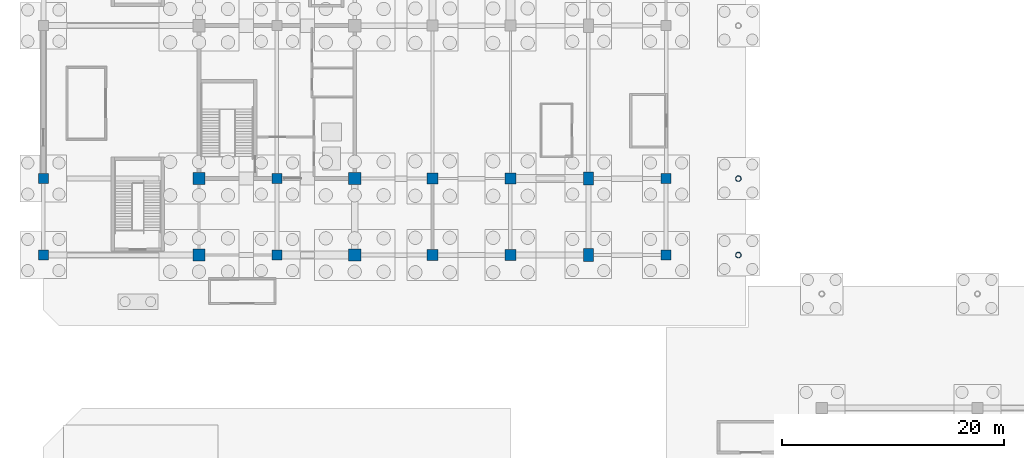
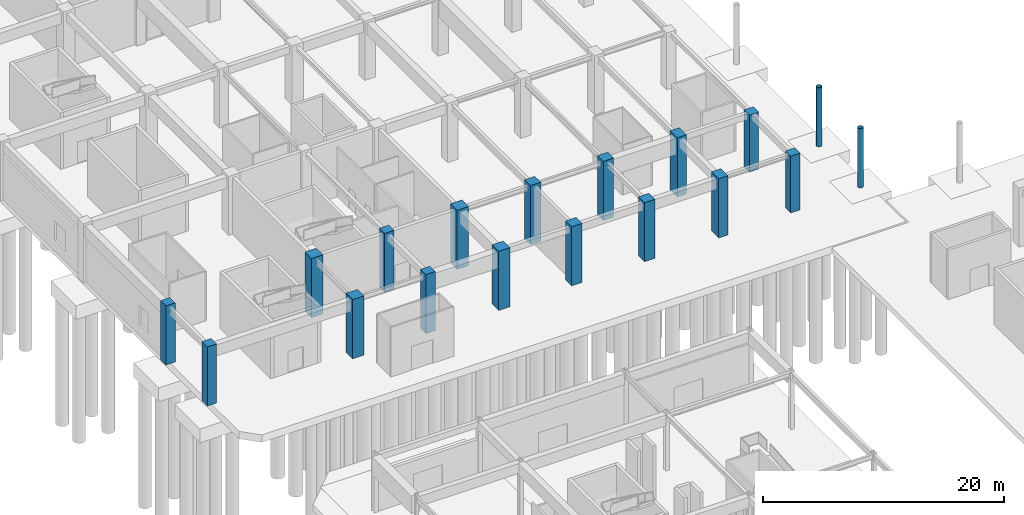
# One storey, part 10 of 62: 18 columns.
"""IFC4 building model written with IfcOpenShell, lengths in metres."""

from ifc_helpers import new_model, si_unit, direction, frame, origin, origin_2d, place, context, subcontext, project, spatial, rectangle, hollow_circle, extrude, material, material_profile, profile_set, type_object, element, save


model = new_model("IFC4")

# Units and contexts
model_context = context("Model", 3, precision=1e-05, world=origin(), true_north=direction((0.0, 1.0)))
body_context = subcontext(model_context, "Body", "Model", "MODEL_VIEW")
ifc_project = project(units=[si_unit("LENGTHUNIT", "METRE"), si_unit("AREAUNIT", "SQUARE_METRE"), si_unit("VOLUMEUNIT", "CUBIC_METRE"), si_unit("PLANEANGLEUNIT", "RADIAN"), si_unit("MASSUNIT", "GRAM", prefix="KILO")], contexts=[model_context])

# Site, building, storey
site_placement = place(None, origin())
site = spatial("IfcSite", under=ifc_project, at=site_placement, CompositionType="ELEMENT")
building_placement = place(site_placement, origin())
building = spatial("IfcBuilding", under=site, at=building_placement, Name="Linyun Crest Stadium", CompositionType="ELEMENT")
storey_placement = place(building_placement, frame((0.0, 0.0, -6.0)))
storey = spatial("IfcBuildingStorey", under=building, at=storey_placement, Name="B1", CompositionType="ELEMENT", Elevation=-6.0)

# Columns
ifc_material_1 = material(Name="Concrete C50", Category="concrete")
ifc_material_profile_1 = material_profile(ifc_material_1, rectangle(XDim=0.89990234375, YDim=0.89990234375, at=origin_2d()), Name="RC 900x900")
ifc_profile_set_1 = profile_set([ifc_material_profile_1], Name="Concrete C50")
column_type_1 = type_object("IfcColumnType", Name="C04", PredefinedType="COLUMN", material=ifc_profile_set_1)
for number, where, z_axis, x_axis, name in (
    (1, (-98.0, -46.0, 0.0), (0.0, 0.0, 1.0), (1.0, 0.0, 0.0), "Column C04 B1 1"),
    (2, (-98.0, -39.125, 0.0), (0.0, 0.0, 1.0), (1.0, 0.0, 0.0), "Column C04 B1 7"),
    (3, (-77.0, -46.0, 0.0), (0.0, 0.0, 1.0), (1.0, 0.0, 0.0), "Column C04 B1 105"),
    (4, (-77.0, -39.125, 0.0), (0.0, 0.0, 1.0), (1.0, 0.0, 0.0), "Column C04 B1 110"),
):
    element("IfcColumn", number, at=place(storey_placement, frame(where, z_axis=z_axis, x_axis=x_axis)), inside=storey, type_object=column_type_1, Name=name, PredefinedType="COLUMN", context=body_context, shape_type="SweptSolid", body=[
        extrude(rectangle(XDim=0.89990234375, YDim=0.89990234375, at=origin_2d()), origin(), (0.0, 0.0, 1.0), 5.998046875),
    ])
for number, where, z_axis, x_axis, name in (
    (5, (-42.0, -46.0, 0.0), (0.0, 0.0, 1.0), (1.0, 0.0, 0.0), "Column C04 B1 289"),
    (6, (-42.0, -39.125, 0.0), (0.0, 0.0, 1.0), (1.0, 0.0, 0.0), "Column C04 B1 290"),
):
    element("IfcColumn", number, at=place(storey_placement, frame(where, z_axis=z_axis, x_axis=x_axis)), inside=storey, type_object=column_type_1, Name=name, PredefinedType="COLUMN", context=body_context, shape_type="SweptSolid", body=[
        extrude(rectangle(XDim=0.89990234375, YDim=0.89990234375, at=origin_2d()), origin(), (0.0, 0.0, 1.0), 5.75),
    ])
ifc_material_2 = material(Name="Concrete C50", Category="concrete")
ifc_material_profile_2 = material_profile(ifc_material_2, rectangle(XDim=1.0, YDim=1.0, at=origin_2d()), Name="RC 1000x1000")
ifc_profile_set_2 = profile_set([ifc_material_profile_2], Name="Concrete C50")
column_type_2 = type_object("IfcColumnType", Name="C05", PredefinedType="COLUMN", material=ifc_profile_set_2)
for number, where, z_axis, x_axis, name in (
    (7, (-63.0, -46.0, 0.0), (0.0, 0.0, 1.0), (1.0, 0.0, 0.0), "Column C05 B1 201"),
    (8, (-63.0, -39.125, 0.0), (0.0, 0.0, 1.0), (1.0, 0.0, 0.0), "Column C05 B1 206"),
    (9, (-56.0, -46.0, 0.0), (0.0, 0.0, 1.0), (1.0, 0.0, 0.0), "Column C05 B1 241"),
    (10, (-56.0, -39.125, 0.0), (0.0, 0.0, 1.0), (1.0, 0.0, 0.0), "Column C05 B1 245"),
):
    element("IfcColumn", number, at=place(storey_placement, frame(where, z_axis=z_axis, x_axis=x_axis)), inside=storey, type_object=column_type_2, Name=name, PredefinedType="COLUMN", context=body_context, shape_type="SweptSolid", body=[
        extrude(rectangle(XDim=1.0, YDim=1.0, at=origin_2d()), origin(), (0.0, 0.0, 1.0), 5.998046875),
    ])
ifc_material_3 = material(Name="Concrete C50", Category="concrete")
ifc_material_profile_3 = material_profile(ifc_material_3, rectangle(XDim=1.10009765625, YDim=1.10009765625, at=origin_2d()), Name="RC 1100x1100")
ifc_profile_set_3 = profile_set([ifc_material_profile_3], Name="Concrete C50")
column_type_3 = type_object("IfcColumnType", Name="C06", PredefinedType="COLUMN", material=ifc_profile_set_3)
for number, where, z_axis, x_axis, name in (
    (11, (-84.0, -46.0, 0.0), (0.0, 0.0, 1.0), (1.0, 0.0, 0.0), "Column C06 B1 49"),
    (12, (-84.0, -39.125, 0.0), (0.0, 0.0, 1.0), (1.0, 0.0, 0.0), "Column C06 B1 56"),
    (13, (-70.0, -46.0, 0.0), (0.0, 0.0, 1.0), (1.0, 0.0, 0.0), "Column C06 B1 145"),
    (14, (-70.0, -39.125, 0.0), (0.0, 0.0, 1.0), (1.0, 0.0, 0.0), "Column C06 B1 152"),
):
    element("IfcColumn", number, at=place(storey_placement, frame(where, z_axis=z_axis, x_axis=x_axis)), inside=storey, type_object=column_type_3, Name=name, PredefinedType="COLUMN", context=body_context, shape_type="SweptSolid", body=[
        extrude(rectangle(XDim=1.10009765625, YDim=1.10009765625, at=origin_2d()), origin(), (0.0, 0.0, 1.0), 5.998046875),
    ])
ifc_material_4 = material(Name="Concrete C50", Category="concrete")
ifc_material_profile_4 = material_profile(ifc_material_4, rectangle(XDim=0.89990234375, YDim=1.199951171875, at=origin_2d()), Name="RC 1200x900")
ifc_profile_set_4 = profile_set([ifc_material_profile_4], Name="Concrete C50")
column_type_4 = type_object("IfcColumnType", Name="C11", PredefinedType="COLUMN", material=ifc_profile_set_4)
for number, where, z_axis, x_axis, name in (
    (15, (-49.0, -46.0, 0.0), (0.0, 0.0, 1.0), (1.0, 0.0, 0.0), "Column C11 B1 273"),
    (16, (-49.0, -39.125, 0.0), (0.0, 0.0, 1.0), (1.0, 0.0, 0.0), "Column C11 B1 275"),
):
    element("IfcColumn", number, at=place(storey_placement, frame(where, z_axis=z_axis, x_axis=x_axis)), inside=storey, type_object=column_type_4, Name=name, PredefinedType="COLUMN", context=body_context, shape_type="SweptSolid", body=[
        extrude(rectangle(XDim=0.89990234375, YDim=1.199951171875, at=origin_2d()), origin(), (0.0, 0.0, 1.0), 5.998046875),
    ])
ifc_material_5 = material(Name="Steel Q355C", Category="steel")
ifc_material_profile_5 = material_profile(ifc_material_5, hollow_circle(Radius=0.25390625, WallThickness=0.02490234375, at=origin_2d()), Name="CHS 508x25")
ifc_profile_set_5 = profile_set([ifc_material_profile_5], Name="Steel Q355C")
column_type_5 = type_object("IfcColumnType", Name="SC05", PredefinedType="COLUMN", material=ifc_profile_set_5)
for number, where, z_axis, x_axis, name in (
    (17, (-35.5, -46.0, 0.0), (0.0, 0.0, 1.0), (1.0, 0.0, 0.0), "Arch colonnade column SC05 B1 2"),
    (18, (-35.5, -39.125, 0.0), (0.0, 0.0, 1.0), (1.0, 0.0, 0.0), "Arch colonnade column SC05 B1 4"),
):
    element("IfcColumn", number, at=place(storey_placement, frame(where, z_axis=z_axis, x_axis=x_axis)), inside=storey, type_object=column_type_5, Name=name, PredefinedType="COLUMN", context=body_context, shape_type="SweptSolid", body=[
        extrude(hollow_circle(Radius=0.25390625, WallThickness=0.02490234375, at=origin_2d()), origin(), (0.0, 0.0, 1.0), 6.0),
    ])

save(model, "model.ifc")
